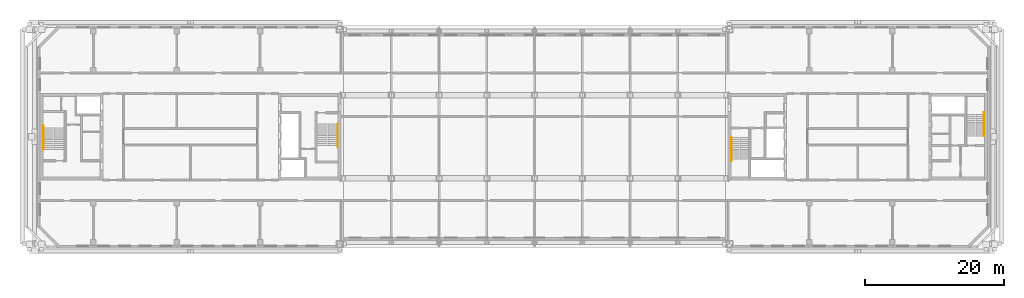
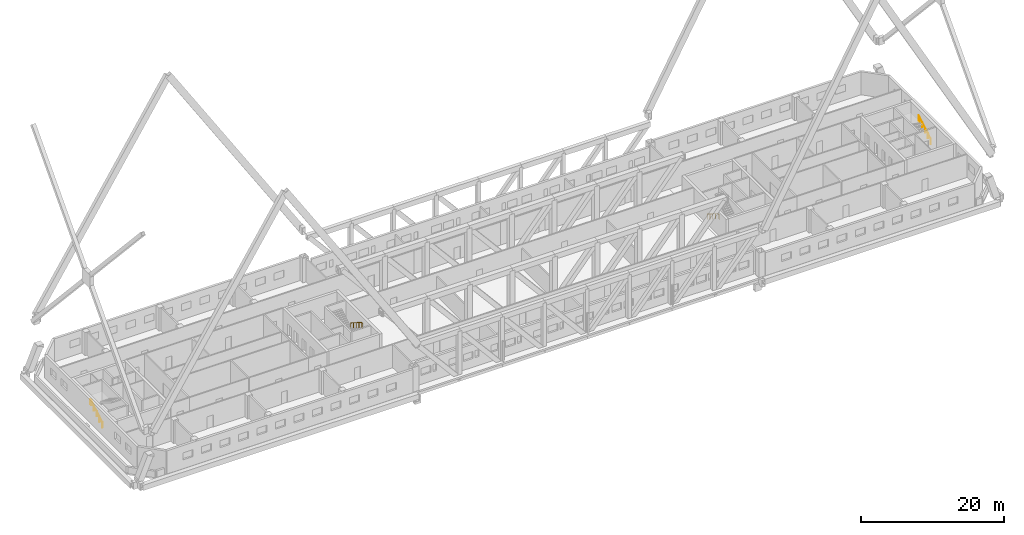
# One storey, part 17 of 17: 4 railings.
"""IFC4 building model written with IfcOpenShell, lengths in metres."""

from ifc_helpers import new_model, si_unit, direction, frame, origin, origin_2d, place, context, subcontext, project, spatial, circle, extrude, material, type_object, element, save


model = new_model("IFC4")

# Units and contexts
model_context = context("Model", 3, precision=1e-05, world=origin(), true_north=direction((0.0, 1.0)))
body_context = subcontext(model_context, "Body", "Model", "MODEL_VIEW")
ifc_project = project(units=[si_unit("LENGTHUNIT", "METRE"), si_unit("AREAUNIT", "SQUARE_METRE"), si_unit("VOLUMEUNIT", "CUBIC_METRE"), si_unit("PLANEANGLEUNIT", "RADIAN"), si_unit("MASSUNIT", "GRAM", prefix="KILO")], contexts=[model_context])

# Site, building, storey
site_placement = place(None, origin())
site = spatial("IfcSite", under=ifc_project, at=site_placement, CompositionType="ELEMENT")
building_placement = place(site_placement, origin())
building = spatial("IfcBuilding", under=site, at=building_placement, Name="Tuart Gate Housing", CompositionType="ELEMENT")
storey_placement = place(building_placement, frame((0.0, 0.0, 194.39990234375)))
storey = spatial("IfcBuildingStorey", under=building, at=storey_placement, Name="L55", CompositionType="ELEMENT", Elevation=194.39990234375)

# Railings
ifc_material = material(Name="Stainless steel", Category="steel")
railing_type = type_object("IfcRailingType", Name="Stair handrail 900", PredefinedType="HANDRAIL", material=ifc_material)
railing_1_placement = place(storey_placement, frame((75.179931640625, 71.824951171875, 0.175048828125)))
element("IfcRailing", 1, at=railing_1_placement, inside=storey, type_object=railing_type, Name="Stair handrail SA1.1", PredefinedType="HANDRAIL", context=body_context, shape_type="SweptSolid", body=[
    extrude(circle(Radius=0.02392578125, at=origin_2d()), frame((0.0, 0.0, 0.8759765625), z_axis=(0.0, -0.847979421464, 0.530029150871), x_axis=(1.0, 0.0, 0.0)), (0.0, 0.0, 1.0), 3.632080078125),
    extrude(circle(Radius=0.02392578125, at=origin_2d()), frame((0.0, -3.079833984375, 2.80078125), z_axis=(0.0, -1.0, 0.0), x_axis=(1.0, 0.0, 0.0)), (0.0, 0.0, 1.0), 0.300048828125),
    extrude(circle(Radius=0.02099609375, at=origin_2d()), origin(), (0.0, 0.0, 1.0), 0.851806640625),
    extrude(circle(Radius=0.02099609375, at=origin_2d()), frame((0.0, -0.77001953125, 0.481201171875)), (0.0, 0.0, 1.0), 0.851806640625),
    extrude(circle(Radius=0.02099609375, at=origin_2d()), frame((0.0, -1.5400390625, 0.96240234375)), (0.0, 0.0, 1.0), 0.851806640625),
    extrude(circle(Radius=0.02099609375, at=origin_2d()), frame((0.0, -2.309814453125, 1.44384765625)), (0.0, 0.0, 1.0), 0.851806640625),
    extrude(circle(Radius=0.02099609375, at=origin_2d()), frame((0.0, -3.079833984375, 1.925048828125)), (0.0, 0.0, 1.0), 0.851806640625),
    extrude(circle(Radius=0.02099609375, at=origin_2d()), frame((0.0, -3.3798828125, 1.925048828125)), (0.0, 0.0, 1.0), 0.851806640625),
])
railing_2_placement = place(storey_placement, frame((32.820068359375, 68.175048828125, 0.175048828125)))
element("IfcRailing", 2, at=railing_2_placement, inside=storey, type_object=railing_type, Name="Stair handrail SA2.1", PredefinedType="HANDRAIL", context=body_context, shape_type="SweptSolid", body=[
    extrude(circle(Radius=0.02392578125, at=origin_2d()), frame((0.0, 0.0, 0.8759765625), z_axis=(0.0, 0.847979421464, 0.530029150871), x_axis=(-1.0, 0.0, 0.0)), (0.0, 0.0, 1.0), 3.632080078125),
    extrude(circle(Radius=0.02392578125, at=origin_2d()), frame((0.0, 3.079833984375, 2.80078125), z_axis=(0.0, 1.0, 0.0), x_axis=(-1.0, 0.0, 0.0)), (0.0, 0.0, 1.0), 0.300048828125),
    extrude(circle(Radius=0.02099609375, at=origin_2d()), origin(), (0.0, 0.0, 1.0), 0.851806640625),
    extrude(circle(Radius=0.02099609375, at=origin_2d()), frame((0.0, 0.77001953125, 0.481201171875)), (0.0, 0.0, 1.0), 0.851806640625),
    extrude(circle(Radius=0.02099609375, at=origin_2d()), frame((0.0, 1.5400390625, 0.96240234375)), (0.0, 0.0, 1.0), 0.851806640625),
    extrude(circle(Radius=0.02099609375, at=origin_2d()), frame((0.0, 2.309814453125, 1.44384765625)), (0.0, 0.0, 1.0), 0.851806640625),
    extrude(circle(Radius=0.02099609375, at=origin_2d()), frame((0.0, 3.079833984375, 1.925048828125)), (0.0, 0.0, 1.0), 0.851806640625),
    extrude(circle(Radius=0.02099609375, at=origin_2d()), frame((0.0, 3.3798828125, 1.925048828125)), (0.0, 0.0, 1.0), 0.851806640625),
])
railing_3_placement = place(storey_placement, frame((131.820068359375, 69.875, 0.175048828125)))
element("IfcRailing", 3, at=railing_3_placement, inside=storey, type_object=railing_type, Name="Stair handrail SB1.1", PredefinedType="HANDRAIL", context=body_context, shape_type="SweptSolid", body=[
    extrude(circle(Radius=0.02392578125, at=origin_2d()), frame((0.0, 0.0, 0.8759765625), z_axis=(0.0, -0.847998304005, 0.529998940003), x_axis=(1.0, 0.0, 0.0)), (0.0, 0.0, 1.0), 3.632080078125),
    extrude(circle(Radius=0.02392578125, at=origin_2d()), frame((0.0, -3.080078125, 2.80078125), z_axis=(0.0, -1.0, 0.0), x_axis=(1.0, 0.0, 0.0)), (0.0, 0.0, 1.0), 0.2998046875),
    extrude(circle(Radius=0.02099609375, at=origin_2d()), origin(), (0.0, 0.0, 1.0), 0.851806640625),
    extrude(circle(Radius=0.02099609375, at=origin_2d()), frame((0.0, -0.77001953125, 0.481201171875)), (0.0, 0.0, 1.0), 0.851806640625),
    extrude(circle(Radius=0.02099609375, at=origin_2d()), frame((0.0, -1.5400390625, 0.96240234375)), (0.0, 0.0, 1.0), 0.851806640625),
    extrude(circle(Radius=0.02099609375, at=origin_2d()), frame((0.0, -2.31005859375, 1.44384765625)), (0.0, 0.0, 1.0), 0.851806640625),
    extrude(circle(Radius=0.02099609375, at=origin_2d()), frame((0.0, -3.080078125, 1.925048828125)), (0.0, 0.0, 1.0), 0.851806640625),
    extrude(circle(Radius=0.02099609375, at=origin_2d()), frame((0.0, -3.3798828125, 1.925048828125)), (0.0, 0.0, 1.0), 0.851806640625),
])
railing_4_placement = place(storey_placement, frame((168.179931640625, 70.125, 0.175048828125)))
element("IfcRailing", 4, at=railing_4_placement, inside=storey, type_object=railing_type, Name="Stair handrail SB2.1", PredefinedType="HANDRAIL", context=body_context, shape_type="SweptSolid", body=[
    extrude(circle(Radius=0.02392578125, at=origin_2d()), frame((0.0, 0.0, 0.8759765625), z_axis=(0.0, 0.847998304005, 0.529998940003), x_axis=(-1.0, 0.0, 0.0)), (0.0, 0.0, 1.0), 3.632080078125),
    extrude(circle(Radius=0.02392578125, at=origin_2d()), frame((0.0, 3.080078125, 2.80078125), z_axis=(0.0, 1.0, 0.0), x_axis=(-1.0, 0.0, 0.0)), (0.0, 0.0, 1.0), 0.2998046875),
    extrude(circle(Radius=0.02099609375, at=origin_2d()), origin(), (0.0, 0.0, 1.0), 0.851806640625),
    extrude(circle(Radius=0.02099609375, at=origin_2d()), frame((0.0, 0.77001953125, 0.481201171875)), (0.0, 0.0, 1.0), 0.851806640625),
    extrude(circle(Radius=0.02099609375, at=origin_2d()), frame((0.0, 1.5400390625, 0.96240234375)), (0.0, 0.0, 1.0), 0.851806640625),
    extrude(circle(Radius=0.02099609375, at=origin_2d()), frame((0.0, 2.31005859375, 1.44384765625)), (0.0, 0.0, 1.0), 0.851806640625),
    extrude(circle(Radius=0.02099609375, at=origin_2d()), frame((0.0, 3.080078125, 1.925048828125)), (0.0, 0.0, 1.0), 0.851806640625),
    extrude(circle(Radius=0.02099609375, at=origin_2d()), frame((0.0, 3.3798828125, 1.925048828125)), (0.0, 0.0, 1.0), 0.851806640625),
])

save(model, "model.ifc")
